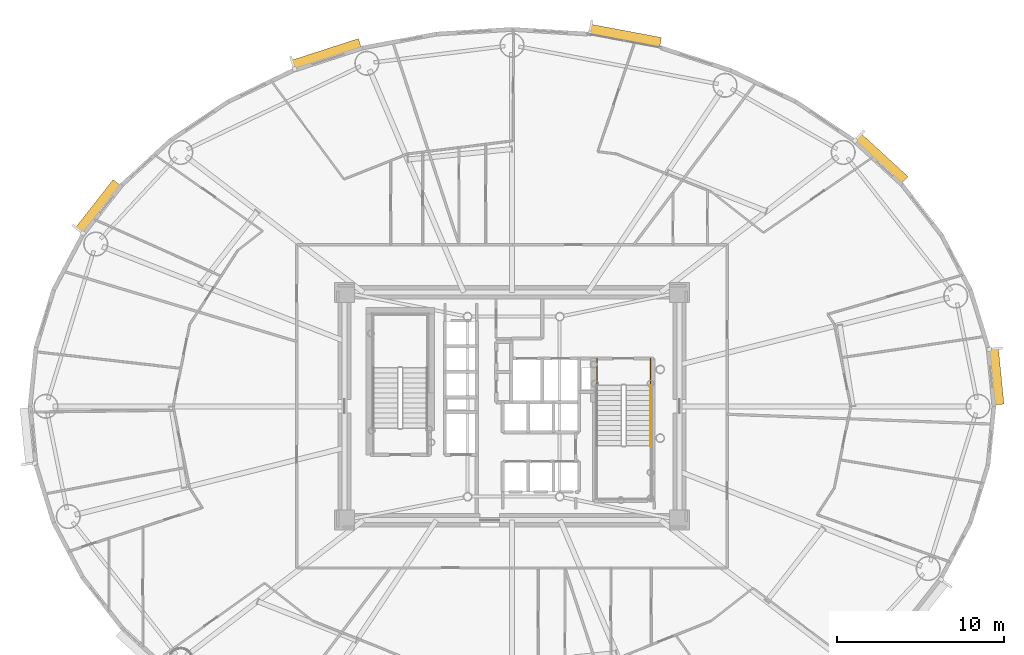
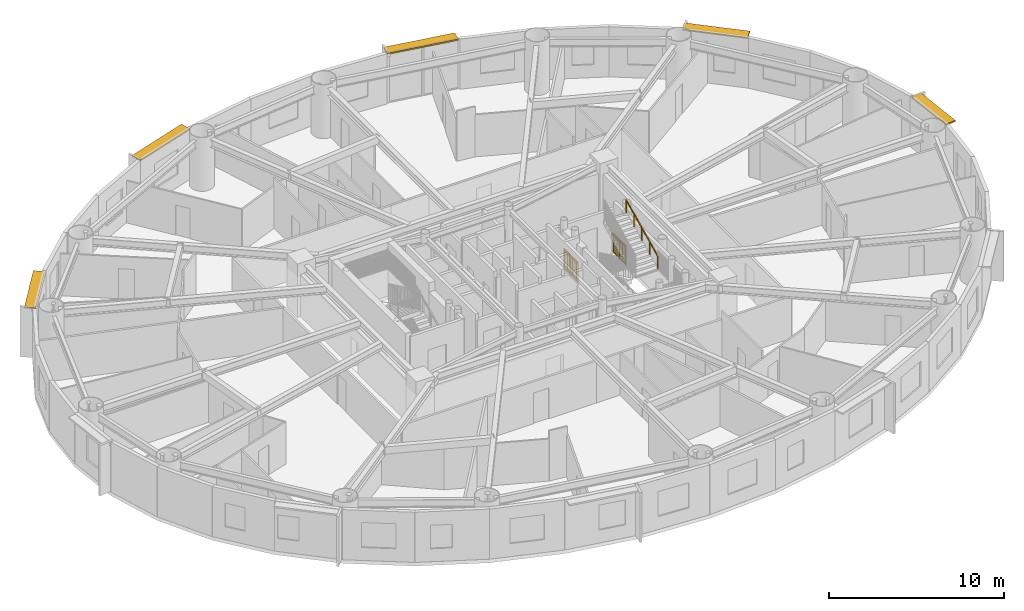
# One storey, part 19 of 19: 5 shading devices, 3 railings.
"""IFC4 building model written with IfcOpenShell, lengths in metres."""

from ifc_helpers import new_model, si_unit, direction, frame, origin, origin_2d, place, context, subcontext, project, spatial, rectangle, extrude, source, transform, mapped, material, layer, layer_set, type_object, element, save


model = new_model("IFC4")

# Units and contexts
model_context = context("Model", 3, precision=1e-05, world=origin(), true_north=direction((0.0, 1.0)))
body_context = subcontext(model_context, "Body", "Model", "MODEL_VIEW")
ifc_project = project(units=[si_unit("LENGTHUNIT", "METRE"), si_unit("AREAUNIT", "SQUARE_METRE"), si_unit("VOLUMEUNIT", "CUBIC_METRE"), si_unit("PLANEANGLEUNIT", "RADIAN"), si_unit("MASSUNIT", "GRAM", prefix="KILO")], contexts=[model_context])

# Site, building, storey
site_placement = place(None, origin())
site = spatial("IfcSite", under=ifc_project, at=site_placement, CompositionType="ELEMENT")
building_placement = place(site_placement, origin())
building = spatial("IfcBuilding", under=site, at=building_placement, Name="Linh Dai School and Residence Tower", CompositionType="ELEMENT")
storey_placement = place(building_placement, frame((0.0, 0.0, 112.199951171875)))
storey = spatial("IfcBuildingStorey", under=building, at=storey_placement, Name="L26", CompositionType="ELEMENT", Elevation=112.199951171875)

# Shading devices
ifc_material_1 = material(Name="Terracotta Ceramic Sunshade", Category="masonry")
ifc_layer = layer(ifc_material_1, 0.10009765625)
ifc_layer_set = layer_set([ifc_layer], Name="Terracotta Ceramic Sunshade")
shading_device_type = type_object("IfcShadingDeviceType", Name="SHD-TC-650", PredefinedType="USERDEFINED", material=ifc_layer_set)
shared_shape_1 = source(origin(), body_context, "Body", "SweptSolid", [
    extrude(rectangle(XDim=3.3916015625, YDim=0.64990234375, at=origin_2d()), origin(), (0.0, 0.0, 1.0), 0.10009765625),
])
shading_device_1_placement = place(storey_placement, frame((64.8818359375, 28.7861328125, 3.3798828125), z_axis=(0.0, 0.0, 1.0), x_axis=(0.100007297192, -0.994986703684, 0.0)))
element("IfcShadingDevice", 1, at=shading_device_1_placement, inside=storey, type_object=shading_device_type, Name="L26 Terracotta Horizontal Sunshade Band 01", ObjectType="SUNSHADE", PredefinedType="USERDEFINED", context=body_context, shape_type="MappedRepresentation", body=[
    mapped(shared_shape_1, transform((0.0, 0.0, 0.0), x_axis=(1.0, 0.0, 0.0), y_axis=(0.0, 1.0, 0.0), z_axis=(0.0, 0.0, 1.0), scale=1.0)),
])
shared_shape_2 = source(origin(), body_context, "Body", "SweptSolid", [
    extrude(rectangle(XDim=3.81689453125, YDim=0.64990234375, at=origin_2d()), origin(), (0.0, 0.0, 1.0), 0.10009765625),
])
shading_device_2_placement = place(storey_placement, frame((58.016357421875, 41.77001953125, 3.3798828125), z_axis=(0.0, 0.0, 1.0), x_axis=(0.737100266172, -0.675783395482, 0.0)))
element("IfcShadingDevice", 2, at=shading_device_2_placement, inside=storey, type_object=shading_device_type, Name="L26 Terracotta Horizontal Sunshade Band 05", ObjectType="SUNSHADE", PredefinedType="USERDEFINED", context=body_context, shape_type="MappedRepresentation", body=[
    mapped(shared_shape_2, transform((0.0, 0.0, 0.0), x_axis=(1.0, 0.0, 0.0), y_axis=(0.0, 1.0, 0.0), z_axis=(0.0, 0.0, 1.0), scale=1.0)),
])
shared_shape_3 = source(origin(), body_context, "Body", "SweptSolid", [
    extrude(rectangle(XDim=4.292236328125, YDim=0.64990234375, at=origin_2d()), origin(), (0.0, 0.0, 1.0), 0.10009765625),
])
shading_device_3_placement = place(storey_placement, frame((42.75537109375, 49.094482421875, 3.3798828125), z_axis=(0.0, 0.0, 1.0), x_axis=(0.982784673718, -0.18475466193, 0.0)))
element("IfcShadingDevice", 3, at=shading_device_3_placement, inside=storey, type_object=shading_device_type, Name="L26 Terracotta Horizontal Sunshade Band 09", ObjectType="SUNSHADE", PredefinedType="USERDEFINED", context=body_context, shape_type="MappedRepresentation", body=[
    mapped(shared_shape_3, transform((0.0, 0.0, 0.0), x_axis=(1.0, 0.0, 0.0), y_axis=(0.0, 1.0, 0.0), z_axis=(0.0, 0.0, 1.0), scale=1.0)),
])
shared_shape_4 = source(origin(), body_context, "Body", "SweptSolid", [
    extrude(rectangle(XDim=4.212890625, YDim=0.64990234375, at=origin_2d()), origin(), (0.0, 0.0, 1.0), 0.10009765625),
])
shading_device_4_placement = place(storey_placement, frame((24.92529296875, 47.995361328125, 3.3798828125), z_axis=(0.0, 0.0, 1.0), x_axis=(0.951217089442, 0.308522363457, 0.0)))
element("IfcShadingDevice", 4, at=shading_device_4_placement, inside=storey, type_object=shading_device_type, Name="L26 Terracotta Horizontal Sunshade Band 13", ObjectType="SUNSHADE", PredefinedType="USERDEFINED", context=body_context, shape_type="MappedRepresentation", body=[
    mapped(shared_shape_4, transform((0.0, 0.0, 0.0), x_axis=(1.0, 0.0, 0.0), y_axis=(0.0, 1.0, 0.0), z_axis=(0.0, 0.0, 1.0), scale=1.0)),
])
shared_shape_5 = source(origin(), body_context, "Body", "SweptSolid", [
    extrude(rectangle(XDim=3.67041015625, YDim=0.64990234375, at=origin_2d()), origin(), (0.0, 0.0, 1.0), 0.10009765625),
])
shading_device_5_placement = place(storey_placement, frame((11.308349609375, 38.88671875, 3.3798828125), z_axis=(0.0, 0.0, 1.0), x_axis=(0.616305017583, 0.787507539838, 0.0)))
element("IfcShadingDevice", 5, at=shading_device_5_placement, inside=storey, type_object=shading_device_type, Name="L26 Terracotta Horizontal Sunshade Band 17", ObjectType="SUNSHADE", PredefinedType="USERDEFINED", context=body_context, shape_type="MappedRepresentation", body=[
    mapped(shared_shape_5, transform((0.0, 0.0, 0.0), x_axis=(1.0, 0.0, 0.0), y_axis=(0.0, 1.0, 0.0), z_axis=(0.0, 0.0, 1.0), scale=1.0)),
])

# Railings
ifc_material_2 = material(Name="Brushed Stainless Steel Handrail", Category="steel")
railing_type_1 = type_object("IfcRailingType", Name="RL-ST-HANDRAIL-900", PredefinedType="HANDRAIL", material=ifc_material_2)
shared_shape_6 = source(origin(), body_context, "Body", "SweptSolid", [
    extrude(rectangle(XDim=0.048095703125, YDim=0.048095703125, at=origin_2d()), frame((0.0, 0.0, 0.8759765625), z_axis=(0.0, 0.901262522062, 0.433273431364), x_axis=(-1.0, 0.0, 0.0)), (0.0, 0.0, 1.0), 3.994384765625),
    extrude(rectangle(XDim=0.0419921875, YDim=0.0419921875, at=origin_2d()), origin(), (0.0, 0.0, 1.0), 0.8759765625),
    extrude(rectangle(XDim=0.0419921875, YDim=0.0419921875, at=origin_2d()), frame((0.0, 0.89990234375, 0.4326171875)), (0.0, 0.0, 1.0), 0.8759765625),
    extrude(rectangle(XDim=0.0419921875, YDim=0.0419921875, at=origin_2d()), frame((0.0, 1.800048828125, 0.865234375)), (0.0, 0.0, 1.0), 0.8759765625),
    extrude(rectangle(XDim=0.0419921875, YDim=0.0419921875, at=origin_2d()), frame((0.0, 2.7001953125, 1.298095703125)), (0.0, 0.0, 1.0), 0.8759765625),
    extrude(rectangle(XDim=0.0419921875, YDim=0.0419921875, at=origin_2d()), frame((0.0, 3.60009765625, 1.730712890625)), (0.0, 0.0, 1.0), 0.8759765625),
])
railing_placement = place(storey_placement, frame((44.27001953125, 24.64990234375, 2.019287109375)))
element("IfcRailing", 6, at=railing_placement, inside=storey, type_object=railing_type_1, Name="L26 ST2 stair handrail 2", PredefinedType="HANDRAIL", context=body_context, shape_type="MappedRepresentation", body=[
    mapped(shared_shape_6, transform((0.0, 0.0, 0.0), x_axis=(1.0, 0.0, 0.0), y_axis=(0.0, 1.0, 0.0), z_axis=(0.0, 0.0, 1.0), scale=1.0)),
])
ifc_material_3 = material(Name="Structural Steel S355JR", Category="steel")
railing_type_2 = type_object("IfcRailingType", Name="RL-ST-GUARD-1400", PredefinedType="GUARDRAIL", material=ifc_material_3)
shared_shape_7 = source(origin(), body_context, "Body", "SweptSolid", [
    extrude(rectangle(XDim=0.048095703125, YDim=0.048095703125, at=origin_2d()), frame((0.0, 0.0, 1.3759765625), z_axis=(0.0, -1.0, 0.0), x_axis=(1.0, 0.0, 0.0)), (0.0, 0.0, 1.0), 1.60009765625),
    extrude(rectangle(XDim=0.048095703125, YDim=0.048095703125, at=origin_2d()), frame((0.0, 0.0, 0.10009765625), z_axis=(0.0, -1.0, 0.0), x_axis=(1.0, 0.0, 0.0)), (0.0, 0.0, 1.0), 1.60009765625),
    extrude(rectangle(XDim=0.030029296875, YDim=0.030029296875, at=origin_2d()), frame((0.0, 0.0, 1.239990234375), z_axis=(0.0, -1.0, 0.0), x_axis=(1.0, 0.0, 0.0)), (0.0, 0.0, 1.0), 1.60009765625),
    extrude(rectangle(XDim=0.02001953125, YDim=0.02001953125, at=origin_2d()), frame((0.0, -0.09423828125, 0.10009765625)), (0.0, 0.0, 1.0), 1.251708984375),
    extrude(rectangle(XDim=0.02001953125, YDim=0.02001953125, at=origin_2d()), frame((0.0, -0.188232421875, 0.10009765625)), (0.0, 0.0, 1.0), 1.251708984375),
    extrude(rectangle(XDim=0.02001953125, YDim=0.02001953125, at=origin_2d()), frame((0.0, -0.282470703125, 0.10009765625)), (0.0, 0.0, 1.0), 1.251708984375),
    extrude(rectangle(XDim=0.02001953125, YDim=0.02001953125, at=origin_2d()), frame((0.0, -0.37646484375, 0.10009765625)), (0.0, 0.0, 1.0), 1.251708984375),
    extrude(rectangle(XDim=0.02001953125, YDim=0.02001953125, at=origin_2d()), frame((0.0, -0.470703125, 0.10009765625)), (0.0, 0.0, 1.0), 1.251708984375),
    extrude(rectangle(XDim=0.02001953125, YDim=0.02001953125, at=origin_2d()), frame((0.0, -0.564697265625, 0.10009765625)), (0.0, 0.0, 1.0), 1.251708984375),
    extrude(rectangle(XDim=0.02001953125, YDim=0.02001953125, at=origin_2d()), frame((0.0, -0.658935546875, 0.10009765625)), (0.0, 0.0, 1.0), 1.251708984375),
    extrude(rectangle(XDim=0.02001953125, YDim=0.02001953125, at=origin_2d()), frame((0.0, -0.7529296875, 0.10009765625)), (0.0, 0.0, 1.0), 1.251708984375),
    extrude(rectangle(XDim=0.02001953125, YDim=0.02001953125, at=origin_2d()), frame((0.0, -0.84716796875, 0.10009765625)), (0.0, 0.0, 1.0), 1.251708984375),
    extrude(rectangle(XDim=0.02001953125, YDim=0.02001953125, at=origin_2d()), frame((0.0, -0.941162109375, 0.10009765625)), (0.0, 0.0, 1.0), 1.251708984375),
    extrude(rectangle(XDim=0.02001953125, YDim=0.02001953125, at=origin_2d()), frame((0.0, -1.035400390625, 0.10009765625)), (0.0, 0.0, 1.0), 1.251708984375),
    extrude(rectangle(XDim=0.02001953125, YDim=0.02001953125, at=origin_2d()), frame((0.0, -1.12939453125, 0.10009765625)), (0.0, 0.0, 1.0), 1.251708984375),
    extrude(rectangle(XDim=0.02001953125, YDim=0.02001953125, at=origin_2d()), frame((0.0, -1.2236328125, 0.10009765625)), (0.0, 0.0, 1.0), 1.251708984375),
    extrude(rectangle(XDim=0.02001953125, YDim=0.02001953125, at=origin_2d()), frame((0.0, -1.317626953125, 0.10009765625)), (0.0, 0.0, 1.0), 1.251708984375),
    extrude(rectangle(XDim=0.02001953125, YDim=0.02001953125, at=origin_2d()), frame((0.0, -1.411865234375, 0.10009765625)), (0.0, 0.0, 1.0), 1.251708984375),
    extrude(rectangle(XDim=0.02001953125, YDim=0.02001953125, at=origin_2d()), frame((0.0, -1.505859375, 0.10009765625)), (0.0, 0.0, 1.0), 1.251708984375),
    extrude(rectangle(XDim=0.0419921875, YDim=0.0419921875, at=origin_2d()), origin(), (0.0, 0.0, 1.0), 1.3759765625),
    extrude(rectangle(XDim=0.0419921875, YDim=0.0419921875, at=origin_2d()), frame((0.0, -0.800048828125, 0.0)), (0.0, 0.0, 1.0), 1.3759765625),
    extrude(rectangle(XDim=0.0419921875, YDim=0.0419921875, at=origin_2d()), frame((0.0, -1.60009765625, 0.0)), (0.0, 0.0, 1.0), 1.3759765625),
])
for number, where, name in (
    (7, (41.070068359375, 29.85009765625, 0.0), "L26 ST2 stair guard 8"),
    (8, (44.27001953125, 29.85009765625, 0.0), "L26 ST2 stair guard 9"),
):
    element("IfcRailing", number, at=place(storey_placement, frame(where)), inside=storey, type_object=railing_type_2, Name=name, PredefinedType="GUARDRAIL", context=body_context, shape_type="MappedRepresentation", body=[
        mapped(shared_shape_7, transform((0.0, 0.0, 0.0), x_axis=(1.0, 0.0, 0.0), y_axis=(0.0, 1.0, 0.0), z_axis=(0.0, 0.0, 1.0), scale=1.0)),
    ])

save(model, "model.ifc")
